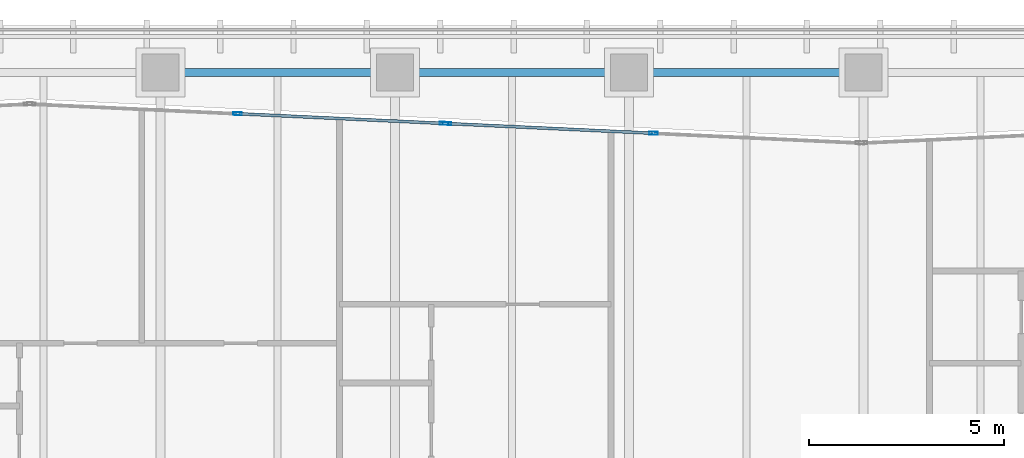
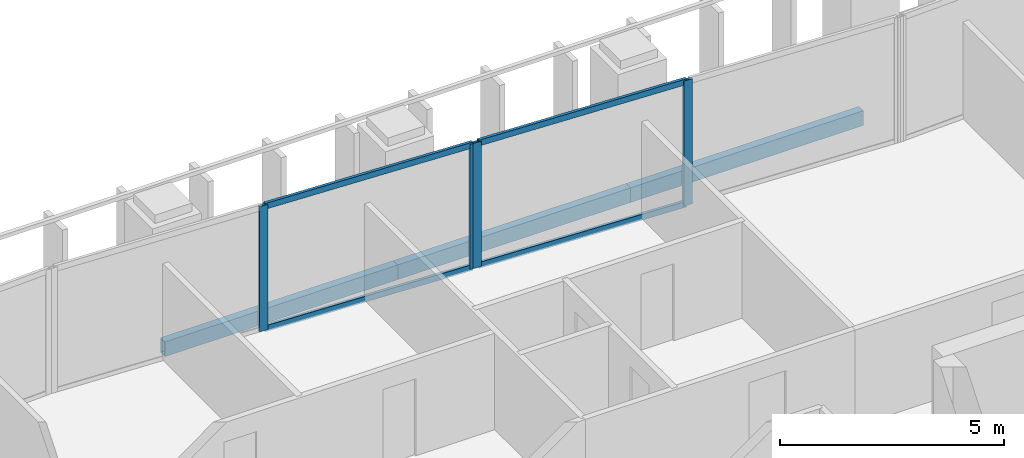
# One storey, part 17 of 39: 8 members, 3 beams, 2 elements without a shape of their own.
"""IFC4 building model written with IfcOpenShell, lengths in metres."""

from ifc_helpers import new_model, si_unit, direction, frame, origin, origin_2d, place, context, subcontext, project, spatial, hollow_rectangle, extrude, material, layer, layer_set, material_profile, profile_set, type_object, element, aggregate, save


model = new_model("IFC4")

# Units and contexts
model_context = context("Model", 3, precision=1e-05, world=origin(), true_north=direction((0.0, 1.0)))
body_context = subcontext(model_context, "Body", "Model", "MODEL_VIEW")
ifc_project = project(units=[si_unit("LENGTHUNIT", "METRE"), si_unit("AREAUNIT", "SQUARE_METRE"), si_unit("VOLUMEUNIT", "CUBIC_METRE"), si_unit("PLANEANGLEUNIT", "RADIAN"), si_unit("MASSUNIT", "GRAM", prefix="KILO")], contexts=[model_context])

# Site, building, storey
site_placement = place(None, origin())
site = spatial("IfcSite", under=ifc_project, at=site_placement, CompositionType="ELEMENT")
building_placement = place(site_placement, origin())
building = spatial("IfcBuilding", under=site, at=building_placement, Name="Tanjung Sevakor Pilgrim Tower", CompositionType="ELEMENT")
storey_placement = place(building_placement, frame((0.0, 0.0, 108.570068359375)))
storey = spatial("IfcBuildingStorey", under=building, at=storey_placement, Name="L30", CompositionType="ELEMENT", Elevation=108.570068359375)

# Beams
ifc_material_1 = material(Name="Steel S355J2", Category="steel")
ifc_material_profile_1 = material_profile(ifc_material_1, hollow_rectangle(XDim=0.199951171875, YDim=0.39990234375, WallThickness=0.01611328125, at=origin_2d()))
ifc_profile_set_1 = profile_set([ifc_material_profile_1], Name="Steel S355J2")
beam_type = type_object("IfcBeamType", Name="BM-B-SP2-RHS_400x200x16", PredefinedType="SPANDREL", material=ifc_profile_set_1)
for number, where, z_axis, x_axis, name in (
    (1, (66.0, 56.39990234375, -0.420166015625), (1.0, 0.0, 0.0), (0.0, 1.0, 0.0), "L30 Spandrel MAIN N-12"),
    (2, (72.0, 56.39990234375, -0.420166015625), (1.0, 0.0, 0.0), (0.0, 1.0, 0.0), "L30 Spandrel MAIN N-14"),
    (3, (78.0, 56.39990234375, -0.420166015625), (1.0, 0.0, 0.0), (0.0, 1.0, 0.0), "L30 Spandrel MAIN N-16"),
):
    element("IfcBeam", number, at=place(storey_placement, frame(where, z_axis=z_axis, x_axis=x_axis)), inside=storey, type_object=beam_type, Name=name, PredefinedType="SPANDREL", context=body_context, shape_type="SweptSolid", body=[
        extrude(hollow_rectangle(XDim=0.199951171875, YDim=0.39990234375, WallThickness=0.01611328125, at=origin_2d()), origin(), (0.0, 0.0, 1.0), 6.0),
    ])

# Curtain wall, members
ifc_material_2 = material(Name="Aluminium 6063-T6 and Low-E Glass", Category="aluminium")
ifc_layer = layer(ifc_material_2, 0.199951171875)
ifc_layer_set = layer_set([ifc_layer], Name="CW-SYS-PRAY")
curtain_wall_type = type_object("IfcCurtainWallType", Name="CW-SYS-PRAY", PredefinedType="NOTDEFINED", material=ifc_layer_set)
curtain_wall_1_placement = place(storey_placement, origin())
curtain_wall_1 = element("IfcCurtainWall", 4, at=curtain_wall_1_placement, inside=storey, type_object=curtain_wall_type, Name="L30 Curtain Wall CW-PRY-L30-21", PredefinedType="NOTDEFINED")
ifc_material_3 = material(Name="Aluminium 6063-T6", Category="aluminium")
ifc_material_profile_2 = material_profile(ifc_material_3, hollow_rectangle(XDim=0.074951171875, YDim=0.219970703125, WallThickness=0.0048828125, at=origin_2d()))
ifc_profile_set_2 = profile_set([ifc_material_profile_2], Name="Aluminium 6063-T6")
member_type_1 = type_object("IfcMemberType", Name="TYPE-CWM-2", PredefinedType="MULLION", material=ifc_profile_set_2)
member_1_placement = place(storey_placement, frame((78.6220703125, 54.844970703125, 0.0), z_axis=(0.0, 0.0, 1.0), x_axis=(-0.046889499825, -0.998900082494, 0.0)))
member_1 = element("IfcMember", 5, at=member_1_placement, type_object=member_type_1, Name="CW-PRY mullion 2", PredefinedType="MULLION", context=body_context, shape_type="SweptSolid", body=[
    extrude(hollow_rectangle(XDim=0.074951171875, YDim=0.219970703125, WallThickness=0.0048828125, at=origin_2d()), origin(), (0.0, 0.0, 1.0), 3.409912109375),
])
member_2_placement = place(storey_placement, frame((73.33154296875, 55.09326171875, 0.0), z_axis=(0.0, 0.0, 1.0), x_axis=(-0.046889499825, -0.998900082494, 0.0)))
member_2 = element("IfcMember", 6, at=member_2_placement, type_object=member_type_1, Name="CW-PRY mullion 3", PredefinedType="MULLION", context=body_context, shape_type="SweptSolid", body=[
    extrude(hollow_rectangle(XDim=0.074951171875, YDim=0.219970703125, WallThickness=0.0048828125, at=origin_2d()), origin(), (0.0, 0.0, 1.0), 3.409912109375),
])

curtain_wall_2_placement = place(storey_placement, origin())
curtain_wall_2 = element("IfcCurtainWall", 7, at=curtain_wall_2_placement, inside=storey, type_object=curtain_wall_type, Name="L30 Curtain Wall CW-PRY-L30-22", PredefinedType="NOTDEFINED")
member_3_placement = place(storey_placement, frame((73.256591796875, 55.096923828125, 0.0), z_axis=(0.0, 0.0, 1.0), x_axis=(-0.046903911367, -0.998899405896, 0.0)))
member_3 = element("IfcMember", 8, at=member_3_placement, type_object=member_type_1, Name="CW-PRY mullion 1", PredefinedType="MULLION", context=body_context, shape_type="SweptSolid", body=[
    extrude(hollow_rectangle(XDim=0.074951171875, YDim=0.219970703125, WallThickness=0.0048828125, at=origin_2d()), origin(), (0.0, 0.0, 1.0), 3.409912109375),
])
member_4_placement = place(storey_placement, frame((67.97216796875, 55.344970703125, 0.0), z_axis=(0.0, 0.0, 1.0), x_axis=(-0.046903911367, -0.998899405896, 0.0)))
member_4 = element("IfcMember", 9, at=member_4_placement, type_object=member_type_1, Name="CW-PRY mullion 2", PredefinedType="MULLION", context=body_context, shape_type="SweptSolid", body=[
    extrude(hollow_rectangle(XDim=0.074951171875, YDim=0.219970703125, WallThickness=0.0048828125, at=origin_2d()), origin(), (0.0, 0.0, 1.0), 3.409912109375),
])

# Member
ifc_material_4 = material(Name="Aluminium 6063-T6", Category="aluminium")
ifc_material_profile_3 = material_profile(ifc_material_4, hollow_rectangle(XDim=0.074951171875, YDim=0.159912109375, WallThickness=0.00439453125, at=origin_2d()))
ifc_profile_set_3 = profile_set([ifc_material_profile_3], Name="Aluminium 6063-T6")
member_type_2 = type_object("IfcMemberType", Name="TYPE-CWT-2", PredefinedType="USERDEFINED", material=ifc_profile_set_3)
member_5_placement = place(storey_placement, frame((78.58447265625, 54.8466796875, 0.037353515625), z_axis=(-0.998899651853, 0.046898672977, 0.0), x_axis=(-0.046898672977, -0.998899651853, 0.0)))
member_5 = element("IfcMember", 10, at=member_5_placement, type_object=member_type_2, Name="CW-PRY transom 2.1", ObjectType="TRANSOM", PredefinedType="USERDEFINED", context=body_context, shape_type="SweptSolid", body=[
    extrude(hollow_rectangle(XDim=0.074951171875, YDim=0.159912109375, WallThickness=0.00439453125, at=origin_2d()), origin(), (0.0, 0.0, 1.0), 5.221435546875),
])

member_6_placement = place(storey_placement, frame((78.58447265625, 54.8466796875, 3.372314453125), z_axis=(-0.998899651853, 0.046898672977, 0.0), x_axis=(-0.046898672977, -0.998899651853, 0.0)))
member_6 = element("IfcMember", 11, at=member_6_placement, type_object=member_type_2, Name="CW-PRY transom 2.2", ObjectType="TRANSOM", PredefinedType="USERDEFINED", context=body_context, shape_type="SweptSolid", body=[
    extrude(hollow_rectangle(XDim=0.074951171875, YDim=0.159912109375, WallThickness=0.00439453125, at=origin_2d()), origin(), (0.0, 0.0, 1.0), 5.221435546875),
])

aggregate(curtain_wall_1, [member_1, member_2, member_5, member_6])

member_7_placement = place(storey_placement, frame((73.21923828125, 55.0986328125, 0.037353515625), z_axis=(-0.998899373751, 0.046904595928, 0.0), x_axis=(-0.046904595928, -0.998899373751, 0.0)))
member_7 = element("IfcMember", 12, at=member_7_placement, type_object=member_type_2, Name="CW-PRY transom 1.1", ObjectType="TRANSOM", PredefinedType="USERDEFINED", context=body_context, shape_type="SweptSolid", body=[
    extrude(hollow_rectangle(XDim=0.074951171875, YDim=0.159912109375, WallThickness=0.00439453125, at=origin_2d()), origin(), (0.0, 0.0, 1.0), 5.215576171875),
])

member_8_placement = place(storey_placement, frame((73.21923828125, 55.0986328125, 3.372314453125), z_axis=(-0.998899373751, 0.046904595928, 0.0), x_axis=(-0.046904595928, -0.998899373751, 0.0)))
member_8 = element("IfcMember", 13, at=member_8_placement, type_object=member_type_2, Name="CW-PRY transom 1.2", ObjectType="TRANSOM", PredefinedType="USERDEFINED", context=body_context, shape_type="SweptSolid", body=[
    extrude(hollow_rectangle(XDim=0.074951171875, YDim=0.159912109375, WallThickness=0.00439453125, at=origin_2d()), origin(), (0.0, 0.0, 1.0), 5.215576171875),
])

aggregate(curtain_wall_2, [member_3, member_4, member_7, member_8])

save(model, "model.ifc")
